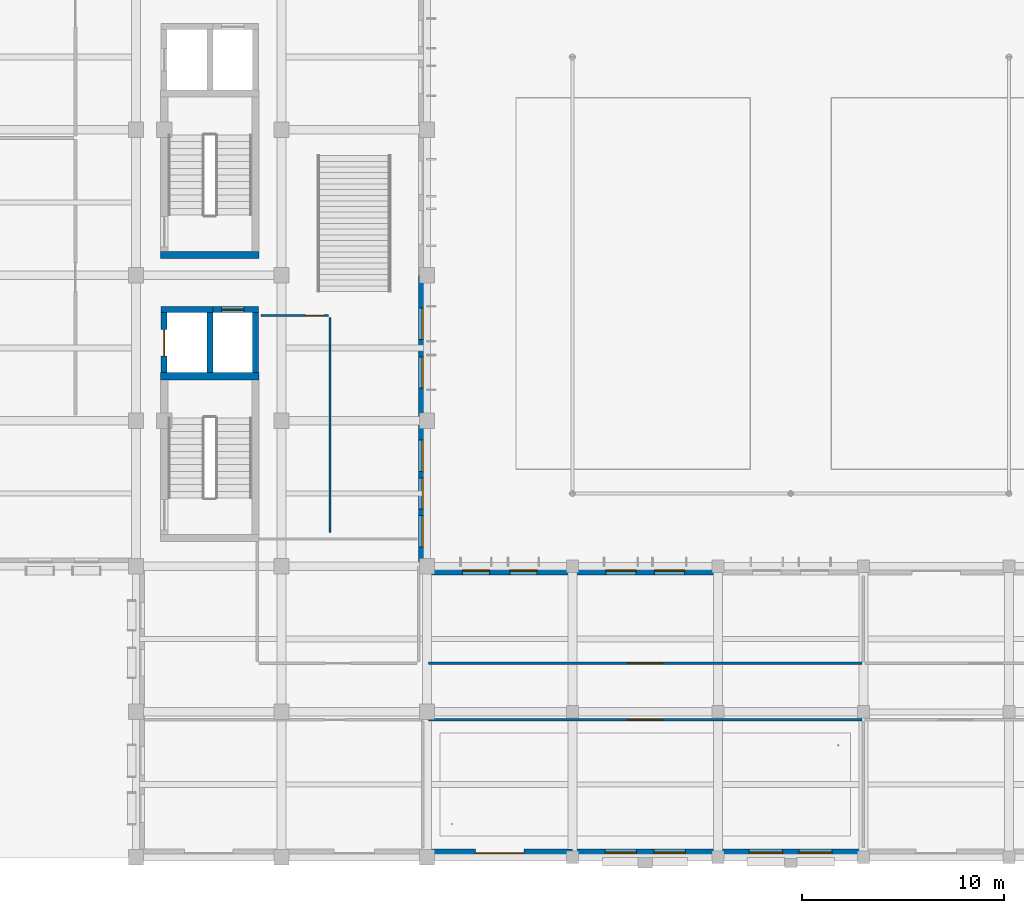
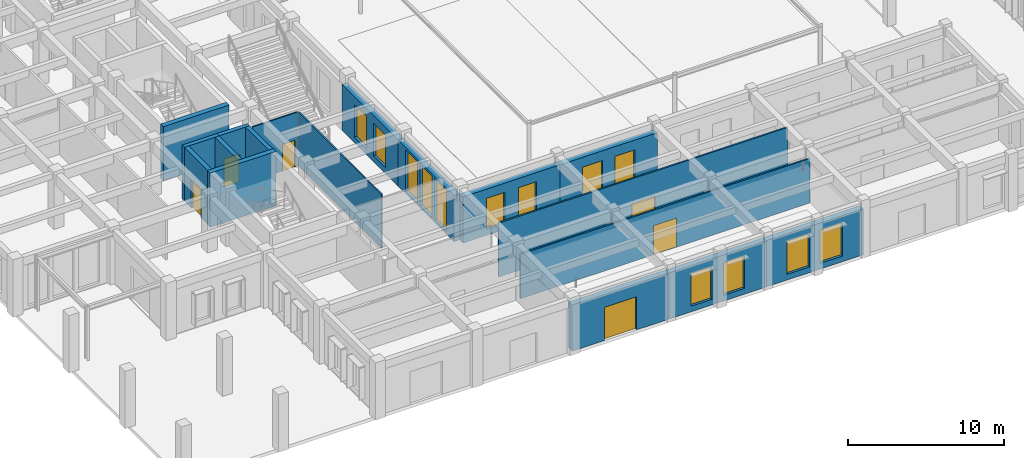
# One storey, part 22 of 43: 18 walls, 13 windows, 6 doors, 19 openings.
"""IFC4 building model written with IfcOpenShell, lengths in metres."""

import ifcopenshell
import ifcopenshell.guid

model = None  # the IFC model being written
_history = None  # IfcOwnerHistory: only IFC2X3 demands one
_inside = {}  # id of a spatial element -> (the spatial element, [elements in it])
_under = {}  # id of a project, library or spatial element -> (it, [spatial elements below it])
_declared = {}  # id of a project -> (the project, [libraries it declares])
_typed = {}  # id of a type object -> (the type object, [elements of that type])
_made_of = {}  # id of a material, layer set ... -> (it, [elements and type objects made of it])


def new_model(schema):
    """Start an empty IFC model of exactly this schema.

    Asked for "IFC4X3", IfcOpenShell would pick the latest addendum, in which some entities
    have other attributes; the version numbers below select the first issue.
    IFC2X3 requires an IfcOwnerHistory on every rooted entity: one is made here for all.
    """
    global model, _history
    if schema == "IFC4X3":
        model = ifcopenshell.file(schema_version=(4, 3, 0, 0))
    else:
        model = ifcopenshell.file(schema=schema)
    _inside.clear()
    _under.clear()
    _declared.clear()
    _typed.clear()
    _made_of.clear()
    _history = None
    if model.schema == "IFC2X3":
        org = make("IfcOrganization", Name="unknown")
        user = make(
            "IfcPersonAndOrganization",
            ThePerson=make("IfcPerson", FamilyName="unknown"),
            TheOrganization=org,
        )
        app = make(
            "IfcApplication",
            ApplicationDeveloper=org,
            Version="unknown",
            ApplicationFullName="unknown",
            ApplicationIdentifier="unknown",
        )
        _history = make(
            "IfcOwnerHistory",
            OwningUser=user,
            OwningApplication=app,
            ChangeAction="ADDED",
            CreationDate=0,
        )
    return model


def make(cls, **values):
    """One entity of the class cls with the attributes given. An attribute that is None is left unset."""
    return model.create_entity(
        cls, **{name: value for name, value in values.items() if value is not None}
    )


def rooted(cls, **values):
    """An entity with a GlobalId (a new one), such as an element, a storey or a relation."""
    return make(cls, GlobalId=ifcopenshell.guid.new(), OwnerHistory=_history, **values)


def si_unit(unit_type, name, prefix=None):
    """IfcSIUnit, for example si_unit("LENGTHUNIT", "METRE", prefix="MILLI")."""
    return make("IfcSIUnit", UnitType=unit_type, Prefix=prefix, Name=name)


def assignment(units):
    """IfcUnitAssignment: the units of a project."""
    return None if units is None else make("IfcUnitAssignment", Units=units)


def point(xyz):
    """IfcCartesianPoint."""
    return None if xyz is None else make("IfcCartesianPoint", Coordinates=xyz)


def direction(xyz):
    """IfcDirection."""
    return None if xyz is None else make("IfcDirection", DirectionRatios=xyz)


def frame(location, z_axis=None, x_axis=None):
    """IfcAxis2Placement3D, a coordinate frame: its origin and axes. An axis left out is left unset."""
    return make(
        "IfcAxis2Placement3D",
        Location=point(location),
        Axis=direction(z_axis),
        RefDirection=direction(x_axis),
    )


def frame_2d(location, x_axis=None):
    """IfcAxis2Placement2D, a coordinate frame in the plane: its origin and x axis."""
    return make(
        "IfcAxis2Placement2D", Location=point(location), RefDirection=direction(x_axis)
    )


def origin():
    """The frame at (0, 0, 0) with its axes left unset."""
    return frame((0.0, 0.0, 0.0))


def place(relative_to, where):
    """IfcLocalPlacement: puts the frame where relative to a parent placement (None: the world)."""
    return make(
        "IfcLocalPlacement", PlacementRelTo=relative_to, RelativePlacement=where
    )


def context(
    kind, dimensions, precision=None, world=None, true_north=None, identifier=None
):
    """IfcGeometricRepresentationContext, for example the 3D "Model" context."""
    return make(
        "IfcGeometricRepresentationContext",
        ContextIdentifier=identifier,
        ContextType=kind,
        CoordinateSpaceDimension=dimensions,
        Precision=precision,
        WorldCoordinateSystem=world,
        TrueNorth=true_north,
    )


def subcontext(parent, identifier, kind, view, scale=None):
    """IfcGeometricRepresentationSubContext, for example "Body" below "Model"."""
    return make(
        "IfcGeometricRepresentationSubContext",
        ContextIdentifier=identifier,
        ContextType=kind,
        ParentContext=parent,
        TargetScale=scale,
        TargetView=view,
    )


def project(units=None, contexts=None):
    """IfcProject with its units and contexts."""
    return rooted(
        "IfcProject",
        Name="project",
        RepresentationContexts=contexts,
        UnitsInContext=assignment(units),
    )


def spatial(cls, under=None, at=None, **own):
    """A site, building, storey or space (cls), placed at a placement, below another one or the project."""
    s = rooted(cls, ObjectPlacement=at, **own)
    if under is not None:
        _under.setdefault(under.id(), (under, []))[1].append(s)
    return s


def profile(cls, at=None, kind="AREA", **sizes):
    """A parametric profile (cls). Its sizes go by their IFC names, for example OverallWidth=200.0."""
    return make(cls, ProfileType=kind, Position=at, **sizes)


def rectangle(**sizes):
    """IfcRectangleProfileDef."""
    return profile("IfcRectangleProfileDef", **sizes)


def extrude(swept, where, along, depth):
    """IfcExtrudedAreaSolid: the profile swept, set in the frame where, extruded along a direction by depth."""
    return make(
        "IfcExtrudedAreaSolid",
        SweptArea=swept,
        Position=where,
        ExtrudedDirection=direction(along),
        Depth=depth,
    )


def shape(context_of_items, identifier, shape_type, items):
    """IfcShapeRepresentation: the items that make up one representation, for example the "Body"."""
    return make(
        "IfcShapeRepresentation",
        ContextOfItems=context_of_items,
        RepresentationIdentifier=identifier,
        RepresentationType=shape_type,
        Items=items,
    )


def material(Name=None, Category=None):
    """IfcMaterial."""
    return make("IfcMaterial", Name=Name, Category=Category)


def layer(
    of_material, thickness, ventilated=None, Name=None, Category=None, Priority=None
):
    """IfcMaterialLayer: one layer of a wall or slab, of a material (None: an air gap)."""
    return make(
        "IfcMaterialLayer",
        Material=of_material,
        LayerThickness=thickness,
        IsVentilated=ventilated,
        Name=Name,
        Category=Category,
        Priority=Priority,
    )


def layer_set(layers, Name=None):
    """IfcMaterialLayerSet."""
    return make("IfcMaterialLayerSet", MaterialLayers=layers, LayerSetName=Name)


def made_of(thing, what):
    """Note that an element or type object is made of a material, layer set ...; save() writes the relation."""
    if what is not None:
        _made_of.setdefault(what.id(), (what, []))[1].append(thing)
    return thing


def type_object(cls, material=None, **own):
    """A type object (cls), such as IfcWallType, which elements share."""
    return made_of(rooted(cls, **own), material)


def element(
    cls,
    number,
    at=None,
    inside=None,
    cuts=None,
    type_object=None,
    material=None,
    context=None,
    identifier="Body",
    shape_type=None,
    held_by="IfcProductDefinitionShape",
    body=None,
    shapes=None,
    **own,
):
    """One element of the class cls, such as IfcWall. Its Tag is "e" and its number.

    at: its placement. inside: the storey or other place that contains it. cuts: it is an
    opening in that element (IfcRelVoidsElement). A single representation is given by context,
    identifier, shape_type and body (its items); several are given by shapes. held_by: the class
    of the entity that holds the representations. save() writes the other relations.
    """
    e = rooted(cls, Tag="e%d" % number, ObjectPlacement=at, **own)
    if body is not None:
        shapes = [shape(context, identifier, shape_type, body)]
    if shapes is not None:
        e.Representation = make(held_by, Representations=shapes)
    if inside is not None:
        _inside.setdefault(inside.id(), (inside, []))[1].append(e)
    if cuts is not None:
        rooted(
            "IfcRelVoidsElement", RelatingBuildingElement=cuts, RelatedOpeningElement=e
        )
    if type_object is not None:
        _typed.setdefault(type_object.id(), (type_object, []))[1].append(e)
    return made_of(e, material)


def fill(opening, filler):
    """IfcRelFillsElement: the door or window that sits in an opening."""
    return rooted(
        "IfcRelFillsElement",
        RelatingOpeningElement=opening,
        RelatedBuildingElement=filler,
    )


def aggregate(whole, parts):
    """IfcRelAggregates: a whole, such as a stair, and the parts it consists of."""
    return rooted("IfcRelAggregates", RelatingObject=whole, RelatedObjects=parts)


def save(model, path):
    """Write the relations noted so far, then the file.

    IfcRelAggregates (storeys below a building ...), IfcRelContainedInSpatialStructure (elements
    in a storey), IfcRelDefinesByType, IfcRelAssociatesMaterial and IfcRelDeclares: one each for
    every whole, place, type object, material and project.
    """
    for whole, parts in _under.values():
        aggregate(whole, parts)
    for where, things in _inside.values():
        rooted(
            "IfcRelContainedInSpatialStructure",
            RelatedElements=things,
            RelatingStructure=where,
        )
    for kind, things in _typed.values():
        rooted("IfcRelDefinesByType", RelatedObjects=things, RelatingType=kind)
    for what, things in _made_of.values():
        rooted("IfcRelAssociatesMaterial", RelatedObjects=things, RelatingMaterial=what)
    for by, libraries in _declared.values():
        rooted("IfcRelDeclares", RelatingContext=by, RelatedDefinitions=libraries)
    model.write(path)


model = new_model("IFC4")

# Units and contexts
model_context = context("Model", 3, precision=1e-05, world=origin(), true_north=direction((0.0, 1.0)))
body_context = subcontext(model_context, "Body", "Model", "MODEL_VIEW")
ifc_project = project(units=[si_unit("LENGTHUNIT", "METRE"), si_unit("AREAUNIT", "SQUARE_METRE"), si_unit("VOLUMEUNIT", "CUBIC_METRE"), si_unit("PLANEANGLEUNIT", "RADIAN"), si_unit("MASSUNIT", "GRAM", prefix="KILO")], contexts=[model_context])

# Site, building, storey
site_placement = place(None, origin())
site = spatial("IfcSite", under=ifc_project, at=site_placement, CompositionType="ELEMENT")
building_placement = place(site_placement, origin())
building = spatial("IfcBuilding", under=site, at=building_placement, Name="Alvorim Cloister Faculty of Sciences", CompositionType="ELEMENT")
storey_placement = place(building_placement, origin())
storey = spatial("IfcBuildingStorey", under=building, at=storey_placement, Name="L00", CompositionType="ELEMENT", Elevation=0.0)

# Wall, openings, windows
ifc_material_1 = material(Name="Maua Grey Granite Stone", Category="masonry")
ifc_layer_1 = layer(ifc_material_1, 0.419921875)
ifc_layer_set_1 = layer_set([ifc_layer_1], Name="Maua Grey Granite Stone")
wall_type_1 = type_object("IfcWallType", Name="WL-EXT-GRN-420", PredefinedType="SOLIDWALL", material=ifc_layer_set_1)
wall_1_placement = place(storey_placement, frame((43.199951171875, 0.2099609375, 0.0), z_axis=(0.0, 0.0, 1.0), x_axis=(1.0, 0.0, 0.0)))
wall_1 = element("IfcWall", 1, at=wall_1_placement, inside=storey, type_object=wall_type_1, Name="L00 Exterior Wall WL-0021", PredefinedType="SOLIDWALL", context=body_context, shape_type="SweptSolid", body=[
    extrude(rectangle(XDim=7.199951171875, YDim=0.419921875, at=frame_2d((3.60009765625, 0.0))), origin(), (0.0, 0.0, 1.0), 3.6201171875),
])
opening_1_placement = place(wall_1_placement, frame((1.550048828125, 0.0, 0.449951171875)))
opening_1 = element("IfcOpeningElement", 2, at=opening_1_placement, cuts=wall_1, Name="Opening W-15", PredefinedType="OPENING", context=body_context, shape_type="SweptSolid", body=[
    extrude(rectangle(XDim=1.64990234375, YDim=2.60009765625, at=frame_2d((0.824951171875, 1.300048828125))), frame((0.0, 0.221923828125, 0.0), z_axis=(0.0, -1.0, 0.0), x_axis=(1.0, 0.0, 0.0)), (0.0, 0.0, 1.0), 0.44384765625),
])
opening_2_placement = place(wall_1_placement, frame((4.0, 0.0, 0.449951171875)))
opening_2 = element("IfcOpeningElement", 3, at=opening_2_placement, cuts=wall_1, Name="Opening W-15", PredefinedType="OPENING", context=body_context, shape_type="SweptSolid", body=[
    extrude(rectangle(XDim=1.64990234375, YDim=2.60009765625, at=frame_2d((0.824951171875, 1.300048828125))), frame((0.0, 0.221923828125, 0.0), z_axis=(0.0, -1.0, 0.0), x_axis=(1.0, 0.0, 0.0)), (0.0, 0.0, 1.0), 0.44384765625),
])
ifc_material_2 = material(Name="Double Low-E Laminated Glass", Category="glass")
window_type_1 = type_object("IfcWindowType", Name="WN-LAB-1650x2600", PartitioningType="SINGLE_PANEL", PredefinedType="WINDOW", material=ifc_material_2)
window_1_placement = place(opening_1_placement, origin())
window_1 = element("IfcWindow", 4, at=window_1_placement, inside=storey, type_object=window_type_1, Name="L00 Gothic Lancet Window WN-0007", OverallHeight=2.60009765625, OverallWidth=1.64990234375, PartitioningType="SINGLE_PANEL", PredefinedType="WINDOW", context=body_context, shape_type="SweptSolid", body=[
    extrude(rectangle(XDim=1.64990234375, YDim=2.60009765625, at=frame_2d((0.824951171875, 1.300048828125))), frame((0.0, 0.030029296875, 0.0), z_axis=(0.0, -1.0, 0.0), x_axis=(1.0, 0.0, 0.0)), (0.0, 0.0, 1.0), 0.06005859375),
])
fill(opening_1, window_1)
window_2_placement = place(opening_2_placement, origin())
window_2 = element("IfcWindow", 5, at=window_2_placement, inside=storey, type_object=window_type_1, Name="L00 Gothic Lancet Window WN-0008", OverallHeight=2.60009765625, OverallWidth=1.64990234375, PartitioningType="SINGLE_PANEL", PredefinedType="WINDOW", context=body_context, shape_type="SweptSolid", body=[
    extrude(rectangle(XDim=1.64990234375, YDim=2.60009765625, at=frame_2d((0.824951171875, 1.300048828125))), frame((0.0, 0.030029296875, 0.0), z_axis=(0.0, -1.0, 0.0), x_axis=(1.0, 0.0, 0.0)), (0.0, 0.0, 1.0), 0.06005859375),
])
fill(opening_2, window_2)

wall_2_placement = place(storey_placement, frame((36.0, 0.2099609375, 0.0), z_axis=(0.0, 0.0, 1.0), x_axis=(1.0, 0.0, 0.0)))
wall_2 = element("IfcWall", 6, at=wall_2_placement, inside=storey, type_object=wall_type_1, Name="L00 Exterior Wall WL-0022", PredefinedType="SOLIDWALL", context=body_context, shape_type="SweptSolid", body=[
    extrude(rectangle(XDim=7.199951171875, YDim=0.419921875, at=frame_2d((3.60009765625, 0.0))), origin(), (0.0, 0.0, 1.0), 3.6201171875),
])
opening_3_placement = place(wall_2_placement, frame((1.61669921875, 0.0, 0.449951171875)))
opening_3 = element("IfcOpeningElement", 7, at=opening_3_placement, cuts=wall_2, Name="Opening W-16", PredefinedType="OPENING", context=body_context, shape_type="SweptSolid", body=[
    extrude(rectangle(XDim=1.550048828125, YDim=2.550048828125, at=frame_2d((0.77490234375, 1.27490234375))), frame((0.0, 0.221923828125, 0.0), z_axis=(0.0, -1.0, 0.0), x_axis=(1.0, 0.0, 0.0)), (0.0, 0.0, 1.0), 0.44384765625),
])
opening_4_placement = place(wall_2_placement, frame((4.033203125, 0.0, 0.449951171875)))
opening_4 = element("IfcOpeningElement", 8, at=opening_4_placement, cuts=wall_2, Name="Opening W-16", PredefinedType="OPENING", context=body_context, shape_type="SweptSolid", body=[
    extrude(rectangle(XDim=1.550048828125, YDim=2.550048828125, at=frame_2d((0.77490234375, 1.27490234375))), frame((0.0, 0.221923828125, 0.0), z_axis=(0.0, -1.0, 0.0), x_axis=(1.0, 0.0, 0.0)), (0.0, 0.0, 1.0), 0.44384765625),
])
window_type_2 = type_object("IfcWindowType", Name="WN-LAB-1550x2550", PartitioningType="SINGLE_PANEL", PredefinedType="WINDOW", material=ifc_material_2)
window_3_placement = place(opening_3_placement, origin())
window_3 = element("IfcWindow", 9, at=window_3_placement, inside=storey, type_object=window_type_2, Name="L00 Gothic Lancet Window WN-0009", OverallHeight=2.550048828125, OverallWidth=1.550048828125, PartitioningType="SINGLE_PANEL", PredefinedType="WINDOW", context=body_context, shape_type="SweptSolid", body=[
    extrude(rectangle(XDim=1.550048828125, YDim=2.550048828125, at=frame_2d((0.77490234375, 1.27490234375))), frame((0.0, 0.030029296875, 0.0), z_axis=(0.0, -1.0, 0.0), x_axis=(1.0, 0.0, 0.0)), (0.0, 0.0, 1.0), 0.06005859375),
])
fill(opening_3, window_3)
window_4_placement = place(opening_4_placement, origin())
window_4 = element("IfcWindow", 10, at=window_4_placement, inside=storey, type_object=window_type_2, Name="L00 Gothic Lancet Window WN-0010", OverallHeight=2.550048828125, OverallWidth=1.550048828125, PartitioningType="SINGLE_PANEL", PredefinedType="WINDOW", context=body_context, shape_type="SweptSolid", body=[
    extrude(rectangle(XDim=1.550048828125, YDim=2.550048828125, at=frame_2d((0.77490234375, 1.27490234375))), frame((0.0, 0.030029296875, 0.0), z_axis=(0.0, -1.0, 0.0), x_axis=(1.0, 0.0, 0.0)), (0.0, 0.0, 1.0), 0.06005859375),
])
fill(opening_4, window_4)

# Wall, opening, door
wall_3_placement = place(storey_placement, frame((28.800048828125, 0.2099609375, 0.0), z_axis=(0.0, 0.0, 1.0), x_axis=(1.0, 0.0, 0.0)))
wall_3 = element("IfcWall", 11, at=wall_3_placement, inside=storey, type_object=wall_type_1, Name="L00 Exterior Wall WL-0023", PredefinedType="SOLIDWALL", context=body_context, shape_type="SweptSolid", body=[
    extrude(rectangle(XDim=7.199951171875, YDim=0.419921875, at=frame_2d((3.60009765625, 0.0))), origin(), (0.0, 0.0, 1.0), 3.6201171875),
])
opening_5_placement = place(wall_3_placement, frame((2.39990234375, 0.0, 0.0)))
opening_5 = element("IfcOpeningElement", 12, at=opening_5_placement, cuts=wall_3, Name="Opening ED-02", PredefinedType="OPENING", context=body_context, shape_type="SweptSolid", body=[
    extrude(rectangle(XDim=2.39990234375, YDim=2.60009765625, at=frame_2d((1.199951171875, 1.300048828125))), frame((0.0, 0.221923828125, 0.0), z_axis=(0.0, -1.0, 0.0), x_axis=(1.0, 0.0, 0.0)), (0.0, 0.0, 1.0), 0.44384765625),
])
ifc_material_3 = material(Name="Aluminium Alloy 6063-T6", Category="aluminium")
door_type_1 = type_object("IfcDoorType", Name="DR-EXIT-2400x2600", OperationType="NOTDEFINED", PredefinedType="DOOR", material=ifc_material_3)
door_1_placement = place(opening_5_placement, origin())
door_1 = element("IfcDoor", 13, at=door_1_placement, inside=storey, type_object=door_type_1, Name="Exhibition Gallery Street Entrance ED-02", OperationType="DOUBLE_DOOR_SINGLE_SWING", OverallHeight=2.60009765625, OverallWidth=2.39990234375, PredefinedType="DOOR", context=body_context, shape_type="SweptSolid", body=[
    extrude(rectangle(XDim=2.39990234375, YDim=2.60009765625, at=frame_2d((1.199951171875, 1.300048828125))), frame((0.0, 0.02490234375, 0.0), z_axis=(0.0, -1.0, 0.0), x_axis=(1.0, 0.0, 0.0)), (0.0, 0.0, 1.0), 0.050048828125),
])
fill(opening_5, door_1)

# Wall, openings, windows
wall_4_placement = place(storey_placement, frame((28.590087890625, 21.60009765625, 0.0), z_axis=(0.0, 0.0, 1.0), x_axis=(0.0, 1.0, 0.0)))
wall_4 = element("IfcWall", 14, at=wall_4_placement, inside=storey, type_object=wall_type_1, Name="L00 Exterior Wall WL-0070", PredefinedType="SOLIDWALL", context=body_context, shape_type="SweptSolid", body=[
    extrude(rectangle(XDim=7.199951171875, YDim=0.419921875, at=frame_2d((3.60009765625, 0.0))), origin(), (0.0, 0.0, 1.0), 3.6201171875),
])
opening_6_placement = place(wall_4_placement, frame((1.61669921875, 0.0, 0.449951171875)))
opening_6 = element("IfcOpeningElement", 15, at=opening_6_placement, cuts=wall_4, Name="Opening W-16", PredefinedType="OPENING", context=body_context, shape_type="SweptSolid", body=[
    extrude(rectangle(XDim=1.550048828125, YDim=2.550048828125, at=frame_2d((0.77490234375, 1.27490234375))), frame((0.0, 0.221923828125, 0.0), z_axis=(0.0, -1.0, 0.0), x_axis=(1.0, 0.0, 0.0)), (0.0, 0.0, 1.0), 0.44384765625),
])
opening_7_placement = place(wall_4_placement, frame((4.033203125, 0.0, 0.449951171875)))
opening_7 = element("IfcOpeningElement", 16, at=opening_7_placement, cuts=wall_4, Name="Opening W-16", PredefinedType="OPENING", context=body_context, shape_type="SweptSolid", body=[
    extrude(rectangle(XDim=1.550048828125, YDim=2.550048828125, at=frame_2d((0.77490234375, 1.27490234375))), frame((0.0, 0.221923828125, 0.0), z_axis=(0.0, -1.0, 0.0), x_axis=(1.0, 0.0, 0.0)), (0.0, 0.0, 1.0), 0.44384765625),
])
window_5_placement = place(opening_6_placement, origin())
window_5 = element("IfcWindow", 17, at=window_5_placement, inside=storey, type_object=window_type_2, Name="L00 Gothic Lancet Window WN-0081", OverallHeight=2.550048828125, OverallWidth=1.550048828125, PartitioningType="SINGLE_PANEL", PredefinedType="WINDOW", context=body_context, shape_type="SweptSolid", body=[
    extrude(rectangle(XDim=1.550048828125, YDim=2.550048828125, at=frame_2d((0.77490234375, 1.27490234375))), frame((0.0, 0.030029296875, 0.0), z_axis=(0.0, -1.0, 0.0), x_axis=(1.0, 0.0, 0.0)), (0.0, 0.0, 1.0), 0.06005859375),
])
fill(opening_6, window_5)
window_6_placement = place(opening_7_placement, origin())
window_6 = element("IfcWindow", 18, at=window_6_placement, inside=storey, type_object=window_type_2, Name="L00 Gothic Lancet Window WN-0082", OverallHeight=2.550048828125, OverallWidth=1.550048828125, PartitioningType="SINGLE_PANEL", PredefinedType="WINDOW", context=body_context, shape_type="SweptSolid", body=[
    extrude(rectangle(XDim=1.550048828125, YDim=2.550048828125, at=frame_2d((0.77490234375, 1.27490234375))), frame((0.0, 0.030029296875, 0.0), z_axis=(0.0, -1.0, 0.0), x_axis=(1.0, 0.0, 0.0)), (0.0, 0.0, 1.0), 0.06005859375),
])
fill(opening_7, window_6)

wall_5_placement = place(storey_placement, frame((28.590087890625, 14.39990234375, 0.0), z_axis=(0.0, 0.0, 1.0), x_axis=(0.0, 1.0, 0.0)))
wall_5 = element("IfcWall", 19, at=wall_5_placement, inside=storey, type_object=wall_type_1, Name="L00 Exterior Wall WL-0071", PredefinedType="SOLIDWALL", context=body_context, shape_type="SweptSolid", body=[
    extrude(rectangle(XDim=7.2001953125, YDim=0.419921875, at=frame_2d((3.60009765625, 0.0))), origin(), (0.0, 0.0, 1.0), 3.6201171875),
])
opening_8_placement = place(wall_5_placement, frame((0.96240234375, 0.0, 0.179931640625)))
opening_8 = element("IfcOpeningElement", 20, at=opening_8_placement, cuts=wall_5, Name="Opening W-01", PredefinedType="OPENING", context=body_context, shape_type="SweptSolid", body=[
    extrude(rectangle(XDim=1.550048828125, YDim=3.25, at=frame_2d((0.77490234375, 1.625))), frame((0.0, 0.221923828125, 0.0), z_axis=(0.0, -1.0, 0.0), x_axis=(1.0, 0.0, 0.0)), (0.0, 0.0, 1.0), 0.44384765625),
])
opening_9_placement = place(wall_5_placement, frame((2.824951171875, 0.0, 0.179931640625)))
opening_9 = element("IfcOpeningElement", 21, at=opening_9_placement, cuts=wall_5, Name="Opening W-01", PredefinedType="OPENING", context=body_context, shape_type="SweptSolid", body=[
    extrude(rectangle(XDim=1.550048828125, YDim=3.25, at=frame_2d((0.77490234375, 1.625))), frame((0.0, 0.221923828125, 0.0), z_axis=(0.0, -1.0, 0.0), x_axis=(1.0, 0.0, 0.0)), (0.0, 0.0, 1.0), 0.44384765625),
])
opening_10_placement = place(wall_5_placement, frame((4.6875, 0.0, 0.179931640625)))
opening_10 = element("IfcOpeningElement", 22, at=opening_10_placement, cuts=wall_5, Name="Opening W-01", PredefinedType="OPENING", context=body_context, shape_type="SweptSolid", body=[
    extrude(rectangle(XDim=1.550048828125, YDim=3.25, at=frame_2d((0.77490234375, 1.625))), frame((0.0, 0.221923828125, 0.0), z_axis=(0.0, -1.0, 0.0), x_axis=(1.0, 0.0, 0.0)), (0.0, 0.0, 1.0), 0.44384765625),
])
window_type_3 = type_object("IfcWindowType", Name="WN-LAN-1550x3250", PartitioningType="SINGLE_PANEL", PredefinedType="WINDOW", material=ifc_material_2)
window_7_placement = place(opening_8_placement, origin())
window_7 = element("IfcWindow", 23, at=window_7_placement, inside=storey, type_object=window_type_3, Name="L00 Full-Height Entrance Atrium Glazed Bay WN-0083", OverallHeight=3.25, OverallWidth=1.550048828125, PartitioningType="SINGLE_PANEL", PredefinedType="WINDOW", context=body_context, shape_type="SweptSolid", body=[
    extrude(rectangle(XDim=1.550048828125, YDim=3.25, at=frame_2d((0.77490234375, 1.625))), frame((0.0, 0.030029296875, 0.0), z_axis=(0.0, -1.0, 0.0), x_axis=(1.0, 0.0, 0.0)), (0.0, 0.0, 1.0), 0.06005859375),
])
fill(opening_8, window_7)
window_8_placement = place(opening_9_placement, origin())
window_8 = element("IfcWindow", 24, at=window_8_placement, inside=storey, type_object=window_type_3, Name="L00 Full-Height Entrance Atrium Glazed Bay WN-0084", OverallHeight=3.25, OverallWidth=1.550048828125, PartitioningType="SINGLE_PANEL", PredefinedType="WINDOW", context=body_context, shape_type="SweptSolid", body=[
    extrude(rectangle(XDim=1.550048828125, YDim=3.25, at=frame_2d((0.77490234375, 1.625))), frame((0.0, 0.030029296875, 0.0), z_axis=(0.0, -1.0, 0.0), x_axis=(1.0, 0.0, 0.0)), (0.0, 0.0, 1.0), 0.06005859375),
])
fill(opening_9, window_8)
window_9_placement = place(opening_10_placement, origin())
window_9 = element("IfcWindow", 25, at=window_9_placement, inside=storey, type_object=window_type_3, Name="L00 Full-Height Entrance Atrium Glazed Bay WN-0085", OverallHeight=3.25, OverallWidth=1.550048828125, PartitioningType="SINGLE_PANEL", PredefinedType="WINDOW", context=body_context, shape_type="SweptSolid", body=[
    extrude(rectangle(XDim=1.550048828125, YDim=3.25, at=frame_2d((0.77490234375, 1.625))), frame((0.0, 0.030029296875, 0.0), z_axis=(0.0, -1.0, 0.0), x_axis=(1.0, 0.0, 0.0)), (0.0, 0.0, 1.0), 0.06005859375),
])
fill(opening_10, window_9)

wall_6_placement = place(storey_placement, frame((28.800048828125, 14.18994140625, 0.0), z_axis=(0.0, 0.0, 1.0), x_axis=(1.0, 0.0, 0.0)))
wall_6 = element("IfcWall", 26, at=wall_6_placement, inside=storey, type_object=wall_type_1, Name="L00 Exterior Wall WL-0072", PredefinedType="SOLIDWALL", context=body_context, shape_type="SweptSolid", body=[
    extrude(rectangle(XDim=7.199951171875, YDim=0.419921875, at=frame_2d((3.60009765625, 0.0))), origin(), (0.0, 0.0, 1.0), 3.6201171875),
])
opening_11_placement = place(wall_6_placement, frame((1.75, 0.0, 0.449951171875)))
opening_11 = element("IfcOpeningElement", 27, at=opening_11_placement, cuts=wall_6, Name="Opening W-18", PredefinedType="OPENING", context=body_context, shape_type="SweptSolid", body=[
    extrude(rectangle(XDim=1.35009765625, YDim=2.449951171875, at=frame_2d((0.675048828125, 1.22509765625))), frame((0.0, 0.221923828125, 0.0), z_axis=(0.0, -1.0, 0.0), x_axis=(1.0, 0.0, 0.0)), (0.0, 0.0, 1.0), 0.44384765625),
])
opening_12_placement = place(wall_6_placement, frame((4.10009765625, 0.0, 0.449951171875)))
opening_12 = element("IfcOpeningElement", 28, at=opening_12_placement, cuts=wall_6, Name="Opening W-18", PredefinedType="OPENING", context=body_context, shape_type="SweptSolid", body=[
    extrude(rectangle(XDim=1.35009765625, YDim=2.449951171875, at=frame_2d((0.675048828125, 1.22509765625))), frame((0.0, 0.221923828125, 0.0), z_axis=(0.0, -1.0, 0.0), x_axis=(1.0, 0.0, 0.0)), (0.0, 0.0, 1.0), 0.44384765625),
])
window_type_4 = type_object("IfcWindowType", Name="WN-LAB-1350x2450", PartitioningType="SINGLE_PANEL", PredefinedType="WINDOW", material=ifc_material_2)
window_10_placement = place(opening_11_placement, origin())
window_10 = element("IfcWindow", 29, at=window_10_placement, inside=storey, type_object=window_type_4, Name="L00 Gothic Lancet Window WN-0086", OverallHeight=2.449951171875, OverallWidth=1.35009765625, PartitioningType="SINGLE_PANEL", PredefinedType="WINDOW", context=body_context, shape_type="SweptSolid", body=[
    extrude(rectangle(XDim=1.35009765625, YDim=2.449951171875, at=frame_2d((0.675048828125, 1.22509765625))), frame((0.0, 0.030029296875, 0.0), z_axis=(0.0, -1.0, 0.0), x_axis=(1.0, 0.0, 0.0)), (0.0, 0.0, 1.0), 0.06005859375),
])
fill(opening_11, window_10)
window_11_placement = place(opening_12_placement, origin())
window_11 = element("IfcWindow", 30, at=window_11_placement, inside=storey, type_object=window_type_4, Name="L00 Gothic Lancet Window WN-0087", OverallHeight=2.449951171875, OverallWidth=1.35009765625, PartitioningType="SINGLE_PANEL", PredefinedType="WINDOW", context=body_context, shape_type="SweptSolid", body=[
    extrude(rectangle(XDim=1.35009765625, YDim=2.449951171875, at=frame_2d((0.675048828125, 1.22509765625))), frame((0.0, 0.030029296875, 0.0), z_axis=(0.0, -1.0, 0.0), x_axis=(1.0, 0.0, 0.0)), (0.0, 0.0, 1.0), 0.06005859375),
])
fill(opening_12, window_11)

wall_7_placement = place(storey_placement, frame((36.0, 14.18994140625, 0.0), z_axis=(0.0, 0.0, 1.0), x_axis=(1.0, 0.0, 0.0)))
wall_7 = element("IfcWall", 31, at=wall_7_placement, inside=storey, type_object=wall_type_1, Name="L00 Exterior Wall WL-0073", PredefinedType="SOLIDWALL", context=body_context, shape_type="SweptSolid", body=[
    extrude(rectangle(XDim=7.199951171875, YDim=0.419921875, at=frame_2d((3.60009765625, 0.0))), origin(), (0.0, 0.0, 1.0), 3.6201171875),
])
opening_13_placement = place(wall_7_placement, frame((1.64990234375, 0.0, 0.449951171875)))
opening_13 = element("IfcOpeningElement", 32, at=opening_13_placement, cuts=wall_7, Name="Opening W-19", PredefinedType="OPENING", context=body_context, shape_type="SweptSolid", body=[
    extrude(rectangle(XDim=1.5, YDim=2.39990234375, at=frame_2d((0.75, 1.199951171875))), frame((0.0, 0.221923828125, 0.0), z_axis=(0.0, -1.0, 0.0), x_axis=(1.0, 0.0, 0.0)), (0.0, 0.0, 1.0), 0.44384765625),
])
opening_14_placement = place(wall_7_placement, frame((4.050048828125, 0.0, 0.449951171875)))
opening_14 = element("IfcOpeningElement", 33, at=opening_14_placement, cuts=wall_7, Name="Opening W-19", PredefinedType="OPENING", context=body_context, shape_type="SweptSolid", body=[
    extrude(rectangle(XDim=1.5, YDim=2.39990234375, at=frame_2d((0.75, 1.199951171875))), frame((0.0, 0.221923828125, 0.0), z_axis=(0.0, -1.0, 0.0), x_axis=(1.0, 0.0, 0.0)), (0.0, 0.0, 1.0), 0.44384765625),
])
window_type_5 = type_object("IfcWindowType", Name="WN-OFF-1500x2400", PartitioningType="SINGLE_PANEL", PredefinedType="WINDOW", material=ifc_material_2)
window_12_placement = place(opening_13_placement, origin())
window_12 = element("IfcWindow", 34, at=window_12_placement, inside=storey, type_object=window_type_5, Name="L00 Gothic Lancet Window WN-0088", OverallHeight=2.39990234375, OverallWidth=1.5, PartitioningType="SINGLE_PANEL", PredefinedType="WINDOW", context=body_context, shape_type="SweptSolid", body=[
    extrude(rectangle(XDim=1.5, YDim=2.39990234375, at=frame_2d((0.75, 1.199951171875))), frame((0.0, 0.030029296875, 0.0), z_axis=(0.0, -1.0, 0.0), x_axis=(1.0, 0.0, 0.0)), (0.0, 0.0, 1.0), 0.06005859375),
])
fill(opening_13, window_12)
window_13_placement = place(opening_14_placement, origin())
window_13 = element("IfcWindow", 35, at=window_13_placement, inside=storey, type_object=window_type_5, Name="L00 Gothic Lancet Window WN-0089", OverallHeight=2.39990234375, OverallWidth=1.5, PartitioningType="SINGLE_PANEL", PredefinedType="WINDOW", context=body_context, shape_type="SweptSolid", body=[
    extrude(rectangle(XDim=1.5, YDim=2.39990234375, at=frame_2d((0.75, 1.199951171875))), frame((0.0, 0.030029296875, 0.0), z_axis=(0.0, -1.0, 0.0), x_axis=(1.0, 0.0, 0.0)), (0.0, 0.0, 1.0), 0.06005859375),
])
fill(opening_14, window_13)

# Wall
ifc_material_4 = material(Name="Moisture-Resistant Tile Stud Partition", Category="gypsum")
ifc_layer_2 = layer(ifc_material_4, 0.10009765625)
ifc_layer_set_2 = layer_set([ifc_layer_2], Name="Moisture-Resistant Tile Stud Partition")
wall_type_2 = type_object("IfcWallType", Name="WL-PRT-100", PredefinedType="PARTITIONING", material=ifc_layer_set_2)
wall_8_placement = place(storey_placement, frame((24.0, 16.080078125, 0.0), z_axis=(0.0, 0.0, 1.0), x_axis=(0.0, 1.0, 0.0)))
element("IfcWall", 36, at=wall_8_placement, inside=storey, type_object=wall_type_2, Name="L00 Ground Core Gender-Neutral and Accessible WCs Partition IWL-0466", PredefinedType="PARTITIONING", context=body_context, shape_type="SweptSolid", body=[
    extrude(rectangle(XDim=10.639892578125, YDim=0.10009765625, at=frame_2d((5.31982421875, 0.0))), origin(), (0.0, 0.0, 1.0), 4.235107421875),
])

# Wall, opening, door
wall_9_placement = place(storey_placement, frame((20.580078125, 26.800048828125, 0.0), z_axis=(0.0, 0.0, 1.0), x_axis=(1.0, 0.0, 0.0)))
wall_9 = element("IfcWall", 37, at=wall_9_placement, inside=storey, type_object=wall_type_2, Name="L00 Ground Core Gender-Neutral and Accessible WCs Partition IWL-0467", PredefinedType="PARTITIONING", context=body_context, shape_type="SweptSolid", body=[
    extrude(rectangle(XDim=3.33984375, YDim=0.10009765625, at=frame_2d((1.669921875, 0.0))), origin(), (0.0, 0.0, 1.0), 4.235107421875),
])
opening_15_placement = place(wall_9_placement, frame((2.219970703125, 0.0, 0.0)))
opening_15 = element("IfcOpeningElement", 38, at=opening_15_placement, cuts=wall_9, Name="Opening D-L00-084", PredefinedType="OPENING", context=body_context, shape_type="SweptSolid", body=[
    extrude(rectangle(XDim=0.89990234375, YDim=2.10009765625, at=frame_2d((0.449951171875, 1.050048828125))), frame((0.0, 0.06201171875, 0.0), z_axis=(0.0, -1.0, 0.0), x_axis=(1.0, 0.0, 0.0)), (0.0, 0.0, 1.0), 0.1240234375),
])
ifc_material_5 = material(Name="Moisture-Resistant Laminate Timber", Category="wood")
door_type_2 = type_object("IfcDoorType", Name="DR-WC-900x2100", OperationType="NOTDEFINED", PredefinedType="DOOR", material=ifc_material_5)
door_2_placement = place(opening_15_placement, origin())
door_2 = element("IfcDoor", 39, at=door_2_placement, inside=storey, type_object=door_type_2, Name="Ground Core Gender-Neutral and Accessible WCs Door D-L00-084", OperationType="SINGLE_SWING_RIGHT", OverallHeight=2.10009765625, OverallWidth=0.89990234375, PredefinedType="DOOR", context=body_context, shape_type="SweptSolid", body=[
    extrude(rectangle(XDim=0.89990234375, YDim=2.10009765625, at=frame_2d((0.449951171875, 1.050048828125))), frame((0.0, 0.02490234375, 0.0), z_axis=(0.0, -1.0, 0.0), x_axis=(1.0, 0.0, 0.0)), (0.0, 0.0, 1.0), 0.050048828125),
])
fill(opening_15, door_2)

ifc_material_6 = material(Name="Acoustic Gypsum Stud Partition", Category="gypsum")
ifc_layer_3 = layer(ifc_material_6, 0.1201171875)
ifc_layer_set_3 = layer_set([ifc_layer_3], Name="Acoustic Gypsum Stud Partition")
wall_type_3 = type_object("IfcWallType", Name="WL-PRT-120", PredefinedType="PARTITIONING", material=ifc_layer_set_3)
wall_10_placement = place(storey_placement, frame((28.8798828125, 6.800048828125, 0.0), z_axis=(0.0, 0.0, 1.0), x_axis=(1.0, 0.0, 0.0)))
wall_10 = element("IfcWall", 40, at=wall_10_placement, inside=storey, type_object=wall_type_3, Name="L00 Natural History Public Exhibition Gallery Partition IWL-0469", PredefinedType="PARTITIONING", context=body_context, shape_type="SweptSolid", body=[
    extrude(rectangle(XDim=21.440185546875, YDim=0.1201171875, at=frame_2d((10.72021484375, 0.0))), origin(), (0.0, 0.0, 1.0), 3.485107421875),
])
opening_16_placement = place(wall_10_placement, frame((9.8701171875, 0.0, 0.0)))
opening_16 = element("IfcOpeningElement", 41, at=opening_16_placement, cuts=wall_10, Name="Opening D-L00-085", PredefinedType="OPENING", context=body_context, shape_type="SweptSolid", body=[
    extrude(rectangle(XDim=1.699951171875, YDim=2.280029296875, at=frame_2d((0.85009765625, 1.14013671875))), frame((0.0, 0.072021484375, 0.0), z_axis=(0.0, -1.0, 0.0), x_axis=(1.0, 0.0, 0.0)), (0.0, 0.0, 1.0), 0.14404296875),
])
ifc_material_7 = material(Name="Solid Acoustic Oak Timber", Category="wood")
door_type_3 = type_object("IfcDoorType", Name="DR-HALL-1700x2280", OperationType="NOTDEFINED", PredefinedType="DOOR", material=ifc_material_7)
door_3_placement = place(opening_16_placement, origin())
door_3 = element("IfcDoor", 42, at=door_3_placement, inside=storey, type_object=door_type_3, Name="Natural History Public Exhibition Gallery Door D-L00-085", OperationType="DOUBLE_DOOR_SINGLE_SWING", OverallHeight=2.280029296875, OverallWidth=1.699951171875, PredefinedType="DOOR", context=body_context, shape_type="SweptSolid", body=[
    extrude(rectangle(XDim=1.699951171875, YDim=2.280029296875, at=frame_2d((0.85009765625, 1.14013671875))), frame((0.0, 0.02490234375, 0.0), z_axis=(0.0, -1.0, 0.0), x_axis=(1.0, 0.0, 0.0)), (0.0, 0.0, 1.0), 0.050048828125),
])
fill(opening_16, door_3)

wall_11_placement = place(storey_placement, frame((28.8798828125, 9.60009765625, 0.0), z_axis=(0.0, 0.0, 1.0), x_axis=(1.0, 0.0, 0.0)))
wall_11 = element("IfcWall", 43, at=wall_11_placement, inside=storey, type_object=wall_type_3, Name="L00 Geological and Mineralogy Cabinet Partition IWL-0470", PredefinedType="PARTITIONING", context=body_context, shape_type="SweptSolid", body=[
    extrude(rectangle(XDim=21.440185546875, YDim=0.1201171875, at=frame_2d((10.72021484375, 0.0))), origin(), (0.0, 0.0, 1.0), 4.235107421875),
])
opening_17_placement = place(wall_11_placement, frame((9.8701171875, 0.0, 0.0)))
opening_17 = element("IfcOpeningElement", 44, at=opening_17_placement, cuts=wall_11, Name="Opening D-L00-086", PredefinedType="OPENING", context=body_context, shape_type="SweptSolid", body=[
    extrude(rectangle(XDim=1.699951171875, YDim=2.280029296875, at=frame_2d((0.85009765625, 1.14013671875))), frame((0.0, 0.072021484375, 0.0), z_axis=(0.0, -1.0, 0.0), x_axis=(1.0, 0.0, 0.0)), (0.0, 0.0, 1.0), 0.14404296875),
])
door_4_placement = place(opening_17_placement, origin())
door_4 = element("IfcDoor", 45, at=door_4_placement, inside=storey, type_object=door_type_3, Name="Geological and Mineralogy Cabinet Door D-L00-086", OperationType="DOUBLE_DOOR_SINGLE_SWING", OverallHeight=2.280029296875, OverallWidth=1.699951171875, PredefinedType="DOOR", context=body_context, shape_type="SweptSolid", body=[
    extrude(rectangle(XDim=1.699951171875, YDim=2.280029296875, at=frame_2d((0.85009765625, 1.14013671875))), frame((0.0, 0.02490234375, 0.0), z_axis=(0.0, -1.0, 0.0), x_axis=(1.0, 0.0, 0.0)), (0.0, 0.0, 1.0), 0.050048828125),
])
fill(opening_17, door_4)

# Wall
ifc_material_8 = material(Name="Concrete C40", Category="concrete")
ifc_layer_4 = layer(ifc_material_8, 0.300048828125)
ifc_layer_set_4 = layer_set([ifc_layer_4], Name="Concrete C40")
wall_type_4 = type_object("IfcWallType", Name="WL-SHR-300", PredefinedType="SHEAR", material=ifc_layer_set_4)
wall_12_placement = place(storey_placement, frame((15.64990234375, 27.10009765625, 0.0), z_axis=(0.0, 0.0, 1.0), x_axis=(1.0, 0.0, 0.0)))
element("IfcWall", 46, at=wall_12_placement, inside=storey, type_object=wall_type_4, Name="L00 Lift LF-01 Shaft Wall IWL-0236", PredefinedType="SHEAR", context=body_context, shape_type="SweptSolid", body=[
    extrude(rectangle(XDim=2.56005859375, YDim=0.300048828125, at=frame_2d((1.280029296875, 0.0))), origin(), (0.0, 0.0, 1.0), 4.25),
])

# Wall, opening, door
wall_13_placement = place(storey_placement, frame((15.800048828125, 23.97998046875, 0.0), z_axis=(0.0, 0.0, 1.0), x_axis=(0.0, 1.0, 0.0)))
wall_13 = element("IfcWall", 47, at=wall_13_placement, inside=storey, type_object=wall_type_4, Name="L00 Lift LF-01 Shaft Wall IWL-0237", PredefinedType="SHEAR", context=body_context, shape_type="SweptSolid", body=[
    extrude(rectangle(XDim=2.969970703125, YDim=0.300048828125, at=frame_2d((1.48486328125, 0.0))), origin(), (0.0, 0.0, 1.0), 4.25),
])
opening_18_placement = place(wall_13_placement, frame((0.8349609375, 0.0, 0.0)))
opening_18 = element("IfcOpeningElement", 48, at=opening_18_placement, cuts=wall_13, Name="Opening LD-002", PredefinedType="OPENING", context=body_context, shape_type="SweptSolid", body=[
    extrude(rectangle(XDim=1.300048828125, YDim=2.25, at=frame_2d((0.64990234375, 1.125))), frame((0.0, 0.162109375, 0.0), z_axis=(0.0, -1.0, 0.0), x_axis=(1.0, 0.0, 0.0)), (0.0, 0.0, 1.0), 0.323974609375),
])
ifc_material_9 = material(Name="Brushed Stainless Steel", Category="steel")
door_type_4 = type_object("IfcDoorType", Name="DR-LFT-1300x2250", OperationType="NOTDEFINED", PredefinedType="DOOR", material=ifc_material_9)
door_5_placement = place(opening_18_placement, origin())
door_5 = element("IfcDoor", 49, at=door_5_placement, inside=storey, type_object=door_type_4, Name="L00 Lift LF-01 Sliding Landing Door LD-002", OperationType="DOUBLE_DOOR_SLIDING", OverallHeight=2.25, OverallWidth=1.300048828125, PredefinedType="DOOR", context=body_context, shape_type="SweptSolid", body=[
    extrude(rectangle(XDim=1.300048828125, YDim=2.25, at=frame_2d((0.64990234375, 1.125))), frame((0.0, 0.02490234375, 0.0), z_axis=(0.0, -1.0, 0.0), x_axis=(1.0, 0.0, 0.0)), (0.0, 0.0, 1.0), 0.050048828125),
])
fill(opening_18, door_5)

# Wall
wall_14_placement = place(storey_placement, frame((18.06005859375, 23.97998046875, 0.0), z_axis=(0.0, 0.0, 1.0), x_axis=(0.0, 1.0, 0.0)))
element("IfcWall", 50, at=wall_14_placement, inside=storey, type_object=wall_type_4, Name="L00 Lift LF-01 Shaft Wall IWL-0238", PredefinedType="SHEAR", context=body_context, shape_type="SweptSolid", body=[
    extrude(rectangle(XDim=2.969970703125, YDim=0.300048828125, at=frame_2d((1.48486328125, 0.0))), origin(), (0.0, 0.0, 1.0), 4.25),
])

# Wall, opening, door
wall_15_placement = place(storey_placement, frame((17.909912109375, 27.10009765625, 0.0), z_axis=(0.0, 0.0, 1.0), x_axis=(1.0, 0.0, 0.0)))
wall_15 = element("IfcWall", 51, at=wall_15_placement, inside=storey, type_object=wall_type_4, Name="L00 Lift LP-01 Shaft Wall IWL-0268", PredefinedType="SHEAR", context=body_context, shape_type="SweptSolid", body=[
    extrude(rectangle(XDim=2.56005859375, YDim=0.300048828125, at=frame_2d((1.280029296875, 0.0))), origin(), (0.0, 0.0, 1.0), 4.25),
])
opening_19_placement = place(wall_15_placement, frame((0.72998046875, 0.0, 0.0)))
opening_19 = element("IfcOpeningElement", 52, at=opening_19_placement, cuts=wall_15, Name="Opening LD-013", PredefinedType="OPENING", context=body_context, shape_type="SweptSolid", body=[
    extrude(rectangle(XDim=1.10009765625, YDim=2.199951171875, at=frame_2d((0.550048828125, 1.10009765625))), frame((0.0, 0.162109375, 0.0), z_axis=(0.0, -1.0, 0.0), x_axis=(1.0, 0.0, 0.0)), (0.0, 0.0, 1.0), 0.323974609375),
])
door_type_5 = type_object("IfcDoorType", Name="DR-LFT-1100x2200", OperationType="NOTDEFINED", PredefinedType="DOOR", material=ifc_material_9)
door_6_placement = place(opening_19_placement, origin())
door_6 = element("IfcDoor", 53, at=door_6_placement, inside=storey, type_object=door_type_5, Name="L00 Lift LP-01 Sliding Landing Door LD-013", OperationType="DOUBLE_DOOR_SLIDING", OverallHeight=2.199951171875, OverallWidth=1.10009765625, PredefinedType="DOOR", context=body_context, shape_type="SweptSolid", body=[
    extrude(rectangle(XDim=1.10009765625, YDim=2.199951171875, at=frame_2d((0.550048828125, 1.10009765625))), frame((0.0, 0.02490234375, 0.0), z_axis=(0.0, -1.0, 0.0), x_axis=(1.0, 0.0, 0.0)), (0.0, 0.0, 1.0), 0.050048828125),
])
fill(opening_19, door_6)

# Walls
wall_16_placement = place(storey_placement, frame((20.320068359375, 23.97998046875, 0.0), z_axis=(0.0, 0.0, 1.0), x_axis=(0.0, 1.0, 0.0)))
element("IfcWall", 54, at=wall_16_placement, inside=storey, type_object=wall_type_4, Name="L00 Lift LP-01 Shaft Wall IWL-0269", PredefinedType="SHEAR", context=body_context, shape_type="SweptSolid", body=[
    extrude(rectangle(XDim=2.969970703125, YDim=0.300048828125, at=frame_2d((1.48486328125, 0.0))), origin(), (0.0, 0.0, 1.0), 4.25),
])
ifc_layer_5 = layer(ifc_material_8, 0.360107421875)
ifc_layer_set_5 = layer_set([ifc_layer_5], Name="Concrete C40")
wall_type_5 = type_object("IfcWallType", Name="WL-SHR-360", PredefinedType="SHEAR", material=ifc_layer_set_5)
for number, where, z_axis, x_axis, name in (
    (55, (15.6201171875, 23.800048828125, 0.0), (0.0, 0.0, 1.0), (1.0, 0.0, 0.0), "L00 CORE K1 Shear Wall IWL-0006"),
    (56, (15.6201171875, 29.800048828125, 0.0), (0.0, 0.0, 1.0), (1.0, 0.0, 0.0), "L00 CORE K2 Shear Wall IWL-0049"),
):
    element("IfcWall", number, at=place(storey_placement, frame(where, z_axis=z_axis, x_axis=x_axis)), inside=storey, type_object=wall_type_5, Name=name, PredefinedType="SHEAR", context=body_context, shape_type="SweptSolid", body=[
        extrude(rectangle(XDim=4.8798828125, YDim=0.360107421875, at=frame_2d((2.43994140625, 0.0))), origin(), (0.0, 0.0, 1.0), 4.25),
    ])

save(model, "model.ifc")
